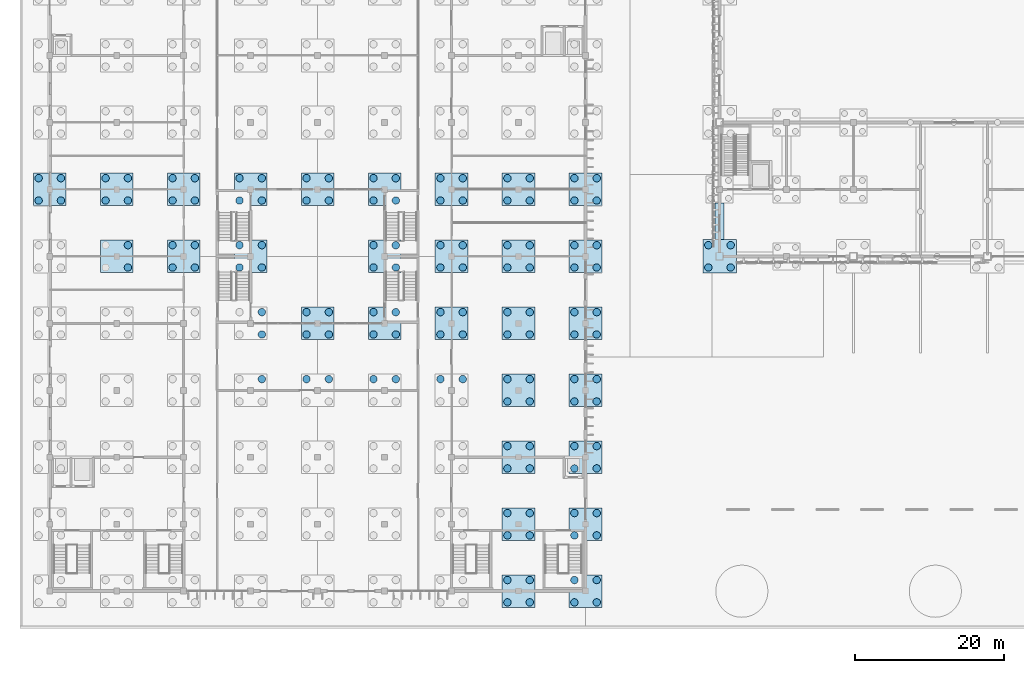
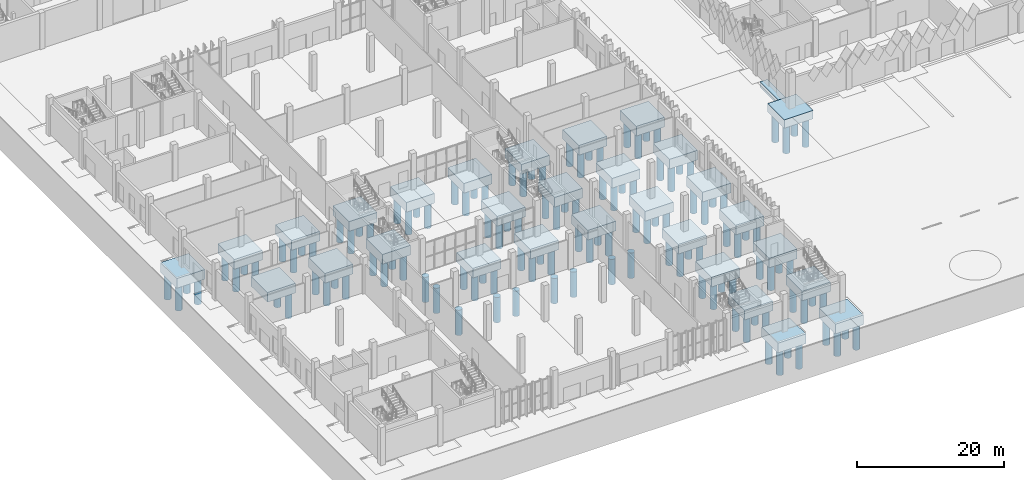
# One storey, part 2 of 198: 127 piles, 31 footings.
"""IFC4 building model written with IfcOpenShell, lengths in metres."""

from ifc_helpers import new_model, si_unit, direction, frame, origin, origin_2d, place, context, subcontext, project, spatial, polyline, circle, outline, extrude, material, layer, layer_set, material_profile, profile_set, type_object, element, save


model = new_model("IFC4")

# Units and contexts
model_context = context("Model", 3, precision=1e-05, world=origin(), true_north=direction((0.0, 1.0)))
body_context = subcontext(model_context, "Body", "Model", "MODEL_VIEW")
ifc_project = project(units=[si_unit("LENGTHUNIT", "METRE"), si_unit("AREAUNIT", "SQUARE_METRE"), si_unit("VOLUMEUNIT", "CUBIC_METRE"), si_unit("PLANEANGLEUNIT", "RADIAN"), si_unit("MASSUNIT", "GRAM", prefix="KILO")], contexts=[model_context])

# Site, building, storey
site_placement = place(None, origin())
site = spatial("IfcSite", under=ifc_project, at=site_placement, CompositionType="ELEMENT")
building_placement = place(site_placement, origin())
building = spatial("IfcBuilding", under=site, at=building_placement, Name="Opaline Strait Convention Centre", CompositionType="ELEMENT")
storey_placement = place(building_placement, origin())
storey = spatial("IfcBuildingStorey", under=building, at=storey_placement, Name="L00", CompositionType="ELEMENT", Elevation=0.0)

# Piles
ifc_material_1 = material(Name="Concrete C35", Category="concrete")
ifc_material_profile_1 = material_profile(ifc_material_1, circle(Radius=0.5, at=origin_2d()), Name="D1000")
ifc_profile_set_1 = profile_set([ifc_material_profile_1], Name="Concrete C35")
pile_type_1 = type_object("IfcPileType", Name="Bored pile D1000 C35", PredefinedType="BORED", material=ifc_profile_set_1)
for number, where, z_axis, x_axis, name in (
    (1, (97.5, 52.5, -1.300048828125), (0.0, 0.0, -1.0), (1.0, 0.0, 0.0), "Bored pile of cap 99/54"),
    (2, (97.5, 55.5, -1.300048828125), (0.0, 0.0, -1.0), (1.0, 0.0, 0.0), "Bored pile of cap 99/54"),
    (3, (100.5, 52.5, -1.300048828125), (0.0, 0.0, -1.0), (1.0, 0.0, 0.0), "Bored pile of cap 99/54"),
    (4, (100.5, 55.5, -1.300048828125), (0.0, 0.0, -1.0), (1.0, 0.0, 0.0), "Bored pile of cap 99/54"),
):
    element("IfcPile", number, at=place(storey_placement, frame(where, z_axis=z_axis, x_axis=x_axis)), inside=storey, type_object=pile_type_1, Name=name, PredefinedType="BORED", context=body_context, shape_type="SweptSolid", body=[
        extrude(circle(Radius=0.5, at=origin_2d()), origin(), (0.0, 0.0, 1.0), 4.699951171875),
    ])
ifc_material_profile_2 = material_profile(ifc_material_1, circle(Radius=0.5, at=origin_2d()), Name="D1000")
ifc_profile_set_2 = profile_set([ifc_material_profile_2], Name="Concrete C35")
pile_type_2 = type_object("IfcPileType", Name="Bored pile D1000 L4.2 C35", PredefinedType="BORED", material=ifc_profile_set_2)
for number, where, z_axis, x_axis, name in (
    (5, (7.5, 61.5, -1.800048828125), (0.0, 0.0, -1.0), (1.0, 0.0, 0.0), "RPL1 pile 1 of cap at 9/63"),
    (6, (7.5, 64.5, -1.800048828125), (0.0, 0.0, -1.0), (1.0, 0.0, 0.0), "RPL1 pile 2 of cap at 9/63"),
    (7, (10.5, 61.5, -1.800048828125), (0.0, 0.0, -1.0), (1.0, 0.0, 0.0), "RPL1 pile 3 of cap at 9/63"),
    (8, (10.5, 64.5, -1.800048828125), (0.0, 0.0, -1.0), (1.0, 0.0, 0.0), "RPL1 pile 4 of cap at 9/63"),
    (9, (19.5, 52.5, -1.800048828125), (0.0, 0.0, -1.0), (1.0, 0.0, 0.0), "RPL1 pile 3 of cap at 18/54"),
    (10, (19.5, 55.5, -1.800048828125), (0.0, 0.0, -1.0), (1.0, 0.0, 0.0), "RPL1 pile 4 of cap at 18/54"),
    (11, (16.5, 61.5, -1.800048828125), (0.0, 0.0, -1.0), (1.0, 0.0, 0.0), "RPL1 pile 1 of cap at 18/63"),
    (12, (16.5, 64.5, -1.800048828125), (0.0, 0.0, -1.0), (1.0, 0.0, 0.0), "RPL1 pile 2 of cap at 18/63"),
    (13, (19.5, 61.5, -1.800048828125), (0.0, 0.0, -1.0), (1.0, 0.0, 0.0), "RPL1 pile 3 of cap at 18/63"),
    (14, (19.5, 64.5, -1.800048828125), (0.0, 0.0, -1.0), (1.0, 0.0, 0.0), "RPL1 pile 4 of cap at 18/63"),
    (15, (25.5, 52.5, -1.800048828125), (0.0, 0.0, -1.0), (1.0, 0.0, 0.0), "RPL1 pile 1 of cap at 27/54"),
    (16, (25.5, 55.5, -1.800048828125), (0.0, 0.0, -1.0), (1.0, 0.0, 0.0), "RPL1 pile 2 of cap at 27/54"),
    (17, (28.5, 52.5, -1.800048828125), (0.0, 0.0, -1.0), (1.0, 0.0, 0.0), "RPL1 pile 3 of cap at 27/54"),
    (18, (28.5, 55.5, -1.800048828125), (0.0, 0.0, -1.0), (1.0, 0.0, 0.0), "RPL1 pile 4 of cap at 27/54"),
    (19, (25.5, 61.5, -1.800048828125), (0.0, 0.0, -1.0), (1.0, 0.0, 0.0), "RPL1 pile 1 of cap at 27/63"),
    (20, (25.5, 64.5, -1.800048828125), (0.0, 0.0, -1.0), (1.0, 0.0, 0.0), "RPL1 pile 2 of cap at 27/63"),
    (21, (28.5, 61.5, -1.800048828125), (0.0, 0.0, -1.0), (1.0, 0.0, 0.0), "RPL1 pile 3 of cap at 27/63"),
    (22, (28.5, 64.5, -1.800048828125), (0.0, 0.0, -1.0), (1.0, 0.0, 0.0), "RPL1 pile 4 of cap at 27/63"),
    (23, (37.5, 37.5, -1.800048828125), (0.0, 0.0, -1.0), (1.0, 0.0, 0.0), "RPL1 pile 4 of cap at 36/36"),
    (24, (37.5, 43.5, -1.800048828125), (0.0, 0.0, -1.0), (1.0, 0.0, 0.0), "RPL1 pile 3 of cap at 36/45"),
    (25, (37.5, 46.5, -1.800048828125), (0.0, 0.0, -1.0), (1.0, 0.0, 0.0), "RPL1 pile 4 of cap at 36/45"),
    (26, (34.5, 52.5, -1.800048828125), (0.0, 0.0, -1.0), (1.0, 0.0, 0.0), "RPL1 pile 1 of cap at 36/54"),
    (27, (34.5, 55.5, -1.800048828125), (0.0, 0.0, -1.0), (1.0, 0.0, 0.0), "RPL1 pile 2 of cap at 36/54"),
    (28, (37.5, 52.5, -1.800048828125), (0.0, 0.0, -1.0), (1.0, 0.0, 0.0), "RPL1 pile 3 of cap at 36/54"),
    (29, (37.5, 55.5, -1.800048828125), (0.0, 0.0, -1.0), (1.0, 0.0, 0.0), "RPL1 pile 4 of cap at 36/54"),
    (30, (34.5, 61.5, -1.800048828125), (0.0, 0.0, -1.0), (1.0, 0.0, 0.0), "RPL1 pile 1 of cap at 36/63"),
    (31, (34.5, 64.5, -1.800048828125), (0.0, 0.0, -1.0), (1.0, 0.0, 0.0), "RPL1 pile 2 of cap at 36/63"),
    (32, (37.5, 61.5, -1.800048828125), (0.0, 0.0, -1.0), (1.0, 0.0, 0.0), "RPL1 pile 3 of cap at 36/63"),
    (33, (37.5, 64.5, -1.800048828125), (0.0, 0.0, -1.0), (1.0, 0.0, 0.0), "RPL1 pile 4 of cap at 36/63"),
    (34, (43.5, 37.5, -1.800048828125), (0.0, 0.0, -1.0), (1.0, 0.0, 0.0), "RPL1 pile 2 of cap at 45/36"),
    (35, (46.5, 37.5, -1.800048828125), (0.0, 0.0, -1.0), (1.0, 0.0, 0.0), "RPL1 pile 4 of cap at 45/36"),
    (36, (43.5, 43.5, -1.800048828125), (0.0, 0.0, -1.0), (1.0, 0.0, 0.0), "RPL1 pile 1 of cap at 45/45"),
    (37, (43.5, 46.5, -1.800048828125), (0.0, 0.0, -1.0), (1.0, 0.0, 0.0), "RPL1 pile 2 of cap at 45/45"),
    (38, (46.5, 43.5, -1.800048828125), (0.0, 0.0, -1.0), (1.0, 0.0, 0.0), "RPL1 pile 3 of cap at 45/45"),
    (39, (46.5, 46.5, -1.800048828125), (0.0, 0.0, -1.0), (1.0, 0.0, 0.0), "RPL1 pile 4 of cap at 45/45"),
    (40, (43.5, 61.5, -1.800048828125), (0.0, 0.0, -1.0), (1.0, 0.0, 0.0), "RPL1 pile 1 of cap at 45/63"),
    (41, (43.5, 64.5, -1.800048828125), (0.0, 0.0, -1.0), (1.0, 0.0, 0.0), "RPL1 pile 2 of cap at 45/63"),
    (42, (46.5, 61.5, -1.800048828125), (0.0, 0.0, -1.0), (1.0, 0.0, 0.0), "RPL1 pile 3 of cap at 45/63"),
    (43, (46.5, 64.5, -1.800048828125), (0.0, 0.0, -1.0), (1.0, 0.0, 0.0), "RPL1 pile 4 of cap at 45/63"),
    (44, (52.5, 37.5, -1.800048828125), (0.0, 0.0, -1.0), (1.0, 0.0, 0.0), "RPL1 pile 2 of cap at 54/36"),
    (45, (55.5, 37.5, -1.800048828125), (0.0, 0.0, -1.0), (1.0, 0.0, 0.0), "RPL1 pile 4 of cap at 54/36"),
    (46, (52.5, 43.5, -1.800048828125), (0.0, 0.0, -1.0), (1.0, 0.0, 0.0), "RPL1 pile 1 of cap at 54/45"),
    (47, (52.5, 46.5, -1.800048828125), (0.0, 0.0, -1.0), (1.0, 0.0, 0.0), "RPL1 pile 2 of cap at 54/45"),
    (48, (55.5, 43.5, -1.800048828125), (0.0, 0.0, -1.0), (1.0, 0.0, 0.0), "RPL1 pile 3 of cap at 54/45"),
    (49, (55.5, 46.5, -1.800048828125), (0.0, 0.0, -1.0), (1.0, 0.0, 0.0), "RPL1 pile 4 of cap at 54/45"),
    (50, (52.5, 52.5, -1.800048828125), (0.0, 0.0, -1.0), (1.0, 0.0, 0.0), "RPL1 pile 1 of cap at 54/54"),
    (51, (52.5, 55.5, -1.800048828125), (0.0, 0.0, -1.0), (1.0, 0.0, 0.0), "RPL1 pile 2 of cap at 54/54"),
    (52, (55.5, 52.5, -1.800048828125), (0.0, 0.0, -1.0), (1.0, 0.0, 0.0), "RPL1 pile 3 of cap at 54/54"),
    (53, (55.5, 55.5, -1.800048828125), (0.0, 0.0, -1.0), (1.0, 0.0, 0.0), "RPL1 pile 4 of cap at 54/54"),
    (54, (52.5, 61.5, -1.800048828125), (0.0, 0.0, -1.0), (1.0, 0.0, 0.0), "RPL1 pile 1 of cap at 54/63"),
    (55, (52.5, 64.5, -1.800048828125), (0.0, 0.0, -1.0), (1.0, 0.0, 0.0), "RPL1 pile 2 of cap at 54/63"),
    (56, (55.5, 61.5, -1.800048828125), (0.0, 0.0, -1.0), (1.0, 0.0, 0.0), "RPL1 pile 3 of cap at 54/63"),
    (57, (55.5, 64.5, -1.800048828125), (0.0, 0.0, -1.0), (1.0, 0.0, 0.0), "RPL1 pile 4 of cap at 54/63"),
    (58, (61.5, 37.5, -1.800048828125), (0.0, 0.0, -1.0), (1.0, 0.0, 0.0), "RPL1 pile 2 of cap at 63/36"),
    (59, (64.5, 37.5, -1.800048828125), (0.0, 0.0, -1.0), (1.0, 0.0, 0.0), "RPL1 pile 4 of cap at 63/36"),
    (60, (61.5, 43.5, -1.800048828125), (0.0, 0.0, -1.0), (1.0, 0.0, 0.0), "RPL1 pile 1 of cap at 63/45"),
    (61, (61.5, 46.5, -1.800048828125), (0.0, 0.0, -1.0), (1.0, 0.0, 0.0), "RPL1 pile 2 of cap at 63/45"),
    (62, (64.5, 43.5, -1.800048828125), (0.0, 0.0, -1.0), (1.0, 0.0, 0.0), "RPL1 pile 3 of cap at 63/45"),
    (63, (64.5, 46.5, -1.800048828125), (0.0, 0.0, -1.0), (1.0, 0.0, 0.0), "RPL1 pile 4 of cap at 63/45"),
    (64, (61.5, 52.5, -1.800048828125), (0.0, 0.0, -1.0), (1.0, 0.0, 0.0), "RPL1 pile 1 of cap at 63/54"),
    (65, (61.5, 55.5, -1.800048828125), (0.0, 0.0, -1.0), (1.0, 0.0, 0.0), "RPL1 pile 2 of cap at 63/54"),
    (66, (64.5, 52.5, -1.800048828125), (0.0, 0.0, -1.0), (1.0, 0.0, 0.0), "RPL1 pile 3 of cap at 63/54"),
    (67, (64.5, 55.5, -1.800048828125), (0.0, 0.0, -1.0), (1.0, 0.0, 0.0), "RPL1 pile 4 of cap at 63/54"),
    (68, (61.5, 61.5, -1.800048828125), (0.0, 0.0, -1.0), (1.0, 0.0, 0.0), "RPL1 pile 1 of cap at 63/63"),
    (69, (61.5, 64.5, -1.800048828125), (0.0, 0.0, -1.0), (1.0, 0.0, 0.0), "RPL1 pile 2 of cap at 63/63"),
    (70, (64.5, 61.5, -1.800048828125), (0.0, 0.0, -1.0), (1.0, 0.0, 0.0), "RPL1 pile 3 of cap at 63/63"),
    (71, (64.5, 64.5, -1.800048828125), (0.0, 0.0, -1.0), (1.0, 0.0, 0.0), "RPL1 pile 4 of cap at 63/63"),
    (72, (70.5, 7.5, -1.800048828125), (0.0, 0.0, -1.0), (1.0, 0.0, 0.0), "RPL1 pile 1 of cap at 72/9"),
    (73, (70.5, 10.5, -1.800048828125), (0.0, 0.0, -1.0), (1.0, 0.0, 0.0), "RPL1 pile 2 of cap at 72/9"),
    (74, (73.5, 7.5, -1.800048828125), (0.0, 0.0, -1.0), (1.0, 0.0, 0.0), "RPL1 pile 3 of cap at 72/9"),
    (75, (73.5, 10.5, -1.800048828125), (0.0, 0.0, -1.0), (1.0, 0.0, 0.0), "RPL1 pile 4 of cap at 72/9"),
    (76, (70.5, 16.5, -1.800048828125), (0.0, 0.0, -1.0), (1.0, 0.0, 0.0), "RPL1 pile 1 of cap at 72/18"),
    (77, (70.5, 19.5, -1.800048828125), (0.0, 0.0, -1.0), (1.0, 0.0, 0.0), "RPL1 pile 2 of cap at 72/18"),
    (78, (73.5, 16.5, -1.800048828125), (0.0, 0.0, -1.0), (1.0, 0.0, 0.0), "RPL1 pile 3 of cap at 72/18"),
    (79, (73.5, 19.5, -1.800048828125), (0.0, 0.0, -1.0), (1.0, 0.0, 0.0), "RPL1 pile 4 of cap at 72/18"),
    (80, (70.5, 25.5, -1.800048828125), (0.0, 0.0, -1.0), (1.0, 0.0, 0.0), "RPL1 pile 1 of cap at 72/27"),
    (81, (70.5, 28.5, -1.800048828125), (0.0, 0.0, -1.0), (1.0, 0.0, 0.0), "RPL1 pile 2 of cap at 72/27"),
    (82, (73.5, 25.5, -1.800048828125), (0.0, 0.0, -1.0), (1.0, 0.0, 0.0), "RPL1 pile 3 of cap at 72/27"),
    (83, (73.5, 28.5, -1.800048828125), (0.0, 0.0, -1.0), (1.0, 0.0, 0.0), "RPL1 pile 4 of cap at 72/27"),
    (84, (70.5, 34.5, -1.800048828125), (0.0, 0.0, -1.0), (1.0, 0.0, 0.0), "RPL1 pile 1 of cap at 72/36"),
    (85, (70.5, 37.5, -1.800048828125), (0.0, 0.0, -1.0), (1.0, 0.0, 0.0), "RPL1 pile 2 of cap at 72/36"),
    (86, (73.5, 34.5, -1.800048828125), (0.0, 0.0, -1.0), (1.0, 0.0, 0.0), "RPL1 pile 3 of cap at 72/36"),
    (87, (73.5, 37.5, -1.800048828125), (0.0, 0.0, -1.0), (1.0, 0.0, 0.0), "RPL1 pile 4 of cap at 72/36"),
    (88, (70.5, 43.5, -1.800048828125), (0.0, 0.0, -1.0), (1.0, 0.0, 0.0), "RPL1 pile 1 of cap at 72/45"),
    (89, (70.5, 46.5, -1.800048828125), (0.0, 0.0, -1.0), (1.0, 0.0, 0.0), "RPL1 pile 2 of cap at 72/45"),
    (90, (73.5, 43.5, -1.800048828125), (0.0, 0.0, -1.0), (1.0, 0.0, 0.0), "RPL1 pile 3 of cap at 72/45"),
    (91, (73.5, 46.5, -1.800048828125), (0.0, 0.0, -1.0), (1.0, 0.0, 0.0), "RPL1 pile 4 of cap at 72/45"),
    (92, (70.5, 52.5, -1.800048828125), (0.0, 0.0, -1.0), (1.0, 0.0, 0.0), "RPL1 pile 1 of cap at 72/54"),
    (93, (70.5, 55.5, -1.800048828125), (0.0, 0.0, -1.0), (1.0, 0.0, 0.0), "RPL1 pile 2 of cap at 72/54"),
    (94, (73.5, 52.5, -1.800048828125), (0.0, 0.0, -1.0), (1.0, 0.0, 0.0), "RPL1 pile 3 of cap at 72/54"),
    (95, (73.5, 55.5, -1.800048828125), (0.0, 0.0, -1.0), (1.0, 0.0, 0.0), "RPL1 pile 4 of cap at 72/54"),
    (96, (70.5, 61.5, -1.800048828125), (0.0, 0.0, -1.0), (1.0, 0.0, 0.0), "RPL1 pile 1 of cap at 72/63"),
    (97, (70.5, 64.5, -1.800048828125), (0.0, 0.0, -1.0), (1.0, 0.0, 0.0), "RPL1 pile 2 of cap at 72/63"),
    (98, (73.5, 61.5, -1.800048828125), (0.0, 0.0, -1.0), (1.0, 0.0, 0.0), "RPL1 pile 3 of cap at 72/63"),
    (99, (73.5, 64.5, -1.800048828125), (0.0, 0.0, -1.0), (1.0, 0.0, 0.0), "RPL1 pile 4 of cap at 72/63"),
    (100, (79.5, 7.5, -1.800048828125), (0.0, 0.0, -1.0), (1.0, 0.0, 0.0), "RPL1 pile 1 of cap at 81/9"),
    (101, (79.5, 10.5, -1.800048828125), (0.0, 0.0, -1.0), (1.0, 0.0, 0.0), "RPL1 pile 2 of cap at 81/9"),
    (102, (82.5, 7.5, -1.800048828125), (0.0, 0.0, -1.0), (1.0, 0.0, 0.0), "RPL1 pile 3 of cap at 81/9"),
    (103, (82.5, 10.5, -1.800048828125), (0.0, 0.0, -1.0), (1.0, 0.0, 0.0), "RPL1 pile 4 of cap at 81/9"),
    (104, (79.5, 16.5, -1.800048828125), (0.0, 0.0, -1.0), (1.0, 0.0, 0.0), "RPL1 pile 1 of cap at 81/18"),
    (105, (79.5, 19.5, -1.800048828125), (0.0, 0.0, -1.0), (1.0, 0.0, 0.0), "RPL1 pile 2 of cap at 81/18"),
    (106, (82.5, 16.5, -1.800048828125), (0.0, 0.0, -1.0), (1.0, 0.0, 0.0), "RPL1 pile 3 of cap at 81/18"),
    (107, (82.5, 19.5, -1.800048828125), (0.0, 0.0, -1.0), (1.0, 0.0, 0.0), "RPL1 pile 4 of cap at 81/18"),
    (108, (79.5, 25.5, -1.800048828125), (0.0, 0.0, -1.0), (1.0, 0.0, 0.0), "RPL1 pile 1 of cap at 81/27"),
    (109, (79.5, 28.5, -1.800048828125), (0.0, 0.0, -1.0), (1.0, 0.0, 0.0), "RPL1 pile 2 of cap at 81/27"),
    (110, (82.5, 25.5, -1.800048828125), (0.0, 0.0, -1.0), (1.0, 0.0, 0.0), "RPL1 pile 3 of cap at 81/27"),
    (111, (82.5, 28.5, -1.800048828125), (0.0, 0.0, -1.0), (1.0, 0.0, 0.0), "RPL1 pile 4 of cap at 81/27"),
    (112, (79.5, 34.5, -1.800048828125), (0.0, 0.0, -1.0), (1.0, 0.0, 0.0), "RPL1 pile 1 of cap at 81/36"),
    (113, (79.5, 37.5, -1.800048828125), (0.0, 0.0, -1.0), (1.0, 0.0, 0.0), "RPL1 pile 2 of cap at 81/36"),
    (114, (82.5, 34.5, -1.800048828125), (0.0, 0.0, -1.0), (1.0, 0.0, 0.0), "RPL1 pile 3 of cap at 81/36"),
    (115, (82.5, 37.5, -1.800048828125), (0.0, 0.0, -1.0), (1.0, 0.0, 0.0), "RPL1 pile 4 of cap at 81/36"),
    (116, (79.5, 43.5, -1.800048828125), (0.0, 0.0, -1.0), (1.0, 0.0, 0.0), "RPL1 pile 1 of cap at 81/45"),
    (117, (79.5, 46.5, -1.800048828125), (0.0, 0.0, -1.0), (1.0, 0.0, 0.0), "RPL1 pile 2 of cap at 81/45"),
    (118, (82.5, 43.5, -1.800048828125), (0.0, 0.0, -1.0), (1.0, 0.0, 0.0), "RPL1 pile 3 of cap at 81/45"),
    (119, (82.5, 46.5, -1.800048828125), (0.0, 0.0, -1.0), (1.0, 0.0, 0.0), "RPL1 pile 4 of cap at 81/45"),
    (120, (79.5, 52.5, -1.800048828125), (0.0, 0.0, -1.0), (1.0, 0.0, 0.0), "RPL1 pile 1 of cap at 81/54"),
    (121, (79.5, 55.5, -1.800048828125), (0.0, 0.0, -1.0), (1.0, 0.0, 0.0), "RPL1 pile 2 of cap at 81/54"),
    (122, (82.5, 52.5, -1.800048828125), (0.0, 0.0, -1.0), (1.0, 0.0, 0.0), "RPL1 pile 3 of cap at 81/54"),
    (123, (82.5, 55.5, -1.800048828125), (0.0, 0.0, -1.0), (1.0, 0.0, 0.0), "RPL1 pile 4 of cap at 81/54"),
    (124, (79.5, 61.5, -1.800048828125), (0.0, 0.0, -1.0), (1.0, 0.0, 0.0), "RPL1 pile 1 of cap at 81/63"),
    (125, (79.5, 64.5, -1.800048828125), (0.0, 0.0, -1.0), (1.0, 0.0, 0.0), "RPL1 pile 2 of cap at 81/63"),
    (126, (82.5, 61.5, -1.800048828125), (0.0, 0.0, -1.0), (1.0, 0.0, 0.0), "RPL1 pile 3 of cap at 81/63"),
    (127, (82.5, 64.5, -1.800048828125), (0.0, 0.0, -1.0), (1.0, 0.0, 0.0), "RPL1 pile 4 of cap at 81/63"),
):
    element("IfcPile", number, at=place(storey_placement, frame(where, z_axis=z_axis, x_axis=x_axis)), inside=storey, type_object=pile_type_2, Name=name, PredefinedType="BORED", context=body_context, shape_type="SweptSolid", body=[
        extrude(circle(Radius=0.5, at=origin_2d()), origin(), (0.0, 0.0, 1.0), 4.199951171875),
    ])

# Footings
footing_type_1 = type_object("IfcFootingType", Name="Ground beam 1200 x 900 C35", PredefinedType="FOOTING_BEAM", material=ifc_material_1)
footing_1_placement = place(storey_placement, frame((0.0, 0.0, -0.89990234375)))
element("IfcFooting", 128, at=footing_1_placement, inside=storey, type_object=footing_type_1, Name="Ground beam 25 on the x = 99 line", PredefinedType="FOOTING_BEAM", context=body_context, shape_type="SweptSolid", body=[
    extrude(outline(polyline([(98.39990234375, 56.25), (99.60009765625, 56.25), (99.60009765625, 61.199951171875), (98.39990234375, 61.199951171875), (98.39990234375, 56.25)])), origin(), (0.0, 0.0, 1.0), 0.89990234375),
])
ifc_layer_1 = layer(ifc_material_1, 1.60009765625)
ifc_layer_set_1 = layer_set([ifc_layer_1], Name="Concrete C35")
footing_type_2 = type_object("IfcFootingType", Name="Pile cap 4400 x 4400 x 1600 C35", PredefinedType="PILE_CAP", material=ifc_layer_set_1)
footing_2_placement = place(storey_placement, frame((0.0, 0.0, -1.89990234375)))
element("IfcFooting", 129, at=footing_2_placement, inside=storey, type_object=footing_type_2, Name="RPC1 pile cap at 9/63", PredefinedType="PILE_CAP", context=body_context, shape_type="SweptSolid", body=[
    extrude(outline(polyline([(6.800048828125, 60.800048828125), (11.199951171875, 60.800048828125), (11.199951171875, 65.199951171875), (6.800048828125, 65.199951171875), (6.800048828125, 60.800048828125)])), origin(), (0.0, 0.0, 1.0), 1.599853515625),
])
footing_3_placement = place(storey_placement, frame((0.0, 0.0, -1.89990234375)))
element("IfcFooting", 130, at=footing_3_placement, inside=storey, type_object=footing_type_2, Name="RPC1 pile cap at 18/54", PredefinedType="PILE_CAP", context=body_context, shape_type="SweptSolid", body=[
    extrude(outline(polyline([(15.800048828125, 51.800048828125), (20.199951171875, 51.800048828125), (20.199951171875, 56.199951171875), (15.800048828125, 56.199951171875), (15.800048828125, 51.800048828125)])), origin(), (0.0, 0.0, 1.0), 1.599853515625),
])
footing_4_placement = place(storey_placement, frame((0.0, 0.0, -1.89990234375)))
element("IfcFooting", 131, at=footing_4_placement, inside=storey, type_object=footing_type_2, Name="RPC1 pile cap at 18/63", PredefinedType="PILE_CAP", context=body_context, shape_type="SweptSolid", body=[
    extrude(outline(polyline([(15.800048828125, 60.800048828125), (20.199951171875, 60.800048828125), (20.199951171875, 65.199951171875), (15.800048828125, 65.199951171875), (15.800048828125, 60.800048828125)])), origin(), (0.0, 0.0, 1.0), 1.599853515625),
])
footing_5_placement = place(storey_placement, frame((0.0, 0.0, -1.89990234375)))
element("IfcFooting", 132, at=footing_5_placement, inside=storey, type_object=footing_type_2, Name="RPC1 pile cap at 27/54", PredefinedType="PILE_CAP", context=body_context, shape_type="SweptSolid", body=[
    extrude(outline(polyline([(24.800048828125, 51.800048828125), (29.199951171875, 51.800048828125), (29.199951171875, 56.199951171875), (24.800048828125, 56.199951171875), (24.800048828125, 51.800048828125)])), origin(), (0.0, 0.0, 1.0), 1.599853515625),
])
footing_6_placement = place(storey_placement, frame((0.0, 0.0, -1.89990234375)))
element("IfcFooting", 133, at=footing_6_placement, inside=storey, type_object=footing_type_2, Name="RPC1 pile cap at 27/63", PredefinedType="PILE_CAP", context=body_context, shape_type="SweptSolid", body=[
    extrude(outline(polyline([(24.800048828125, 60.800048828125), (29.199951171875, 60.800048828125), (29.199951171875, 65.199951171875), (24.800048828125, 65.199951171875), (24.800048828125, 60.800048828125)])), origin(), (0.0, 0.0, 1.0), 1.599853515625),
])
footing_7_placement = place(storey_placement, frame((0.0, 0.0, -1.89990234375)))
element("IfcFooting", 134, at=footing_7_placement, inside=storey, type_object=footing_type_2, Name="RPC1 pile cap at 36/54", PredefinedType="PILE_CAP", context=body_context, shape_type="SweptSolid", body=[
    extrude(outline(polyline([(33.800048828125, 51.800048828125), (38.199951171875, 51.800048828125), (38.199951171875, 56.199951171875), (33.800048828125, 56.199951171875), (33.800048828125, 51.800048828125)])), origin(), (0.0, 0.0, 1.0), 1.599853515625),
])
footing_8_placement = place(storey_placement, frame((0.0, 0.0, -1.89990234375)))
element("IfcFooting", 135, at=footing_8_placement, inside=storey, type_object=footing_type_2, Name="RPC1 pile cap at 36/63", PredefinedType="PILE_CAP", context=body_context, shape_type="SweptSolid", body=[
    extrude(outline(polyline([(33.800048828125, 60.800048828125), (38.199951171875, 60.800048828125), (38.199951171875, 65.199951171875), (33.800048828125, 65.199951171875), (33.800048828125, 60.800048828125)])), origin(), (0.0, 0.0, 1.0), 1.599853515625),
])
footing_9_placement = place(storey_placement, frame((0.0, 0.0, -1.89990234375)))
element("IfcFooting", 136, at=footing_9_placement, inside=storey, type_object=footing_type_2, Name="RPC1 pile cap at 45/45", PredefinedType="PILE_CAP", context=body_context, shape_type="SweptSolid", body=[
    extrude(outline(polyline([(42.800048828125, 42.800048828125), (47.199951171875, 42.800048828125), (47.199951171875, 47.199951171875), (42.800048828125, 47.199951171875), (42.800048828125, 42.800048828125)])), origin(), (0.0, 0.0, 1.0), 1.599853515625),
])
footing_10_placement = place(storey_placement, frame((0.0, 0.0, -1.89990234375)))
element("IfcFooting", 137, at=footing_10_placement, inside=storey, type_object=footing_type_2, Name="RPC1 pile cap at 45/63", PredefinedType="PILE_CAP", context=body_context, shape_type="SweptSolid", body=[
    extrude(outline(polyline([(42.800048828125, 60.800048828125), (47.199951171875, 60.800048828125), (47.199951171875, 65.199951171875), (42.800048828125, 65.199951171875), (42.800048828125, 60.800048828125)])), origin(), (0.0, 0.0, 1.0), 1.599853515625),
])
footing_11_placement = place(storey_placement, frame((0.0, 0.0, -1.89990234375)))
element("IfcFooting", 138, at=footing_11_placement, inside=storey, type_object=footing_type_2, Name="RPC1 pile cap at 54/45", PredefinedType="PILE_CAP", context=body_context, shape_type="SweptSolid", body=[
    extrude(outline(polyline([(51.800048828125, 42.800048828125), (56.199951171875, 42.800048828125), (56.199951171875, 47.199951171875), (51.800048828125, 47.199951171875), (51.800048828125, 42.800048828125)])), origin(), (0.0, 0.0, 1.0), 1.599853515625),
])
footing_12_placement = place(storey_placement, frame((0.0, 0.0, -1.89990234375)))
element("IfcFooting", 139, at=footing_12_placement, inside=storey, type_object=footing_type_2, Name="RPC1 pile cap at 54/54", PredefinedType="PILE_CAP", context=body_context, shape_type="SweptSolid", body=[
    extrude(outline(polyline([(51.800048828125, 51.800048828125), (56.199951171875, 51.800048828125), (56.199951171875, 56.199951171875), (51.800048828125, 56.199951171875), (51.800048828125, 51.800048828125)])), origin(), (0.0, 0.0, 1.0), 1.599853515625),
])
footing_13_placement = place(storey_placement, frame((0.0, 0.0, -1.89990234375)))
element("IfcFooting", 140, at=footing_13_placement, inside=storey, type_object=footing_type_2, Name="RPC1 pile cap at 54/63", PredefinedType="PILE_CAP", context=body_context, shape_type="SweptSolid", body=[
    extrude(outline(polyline([(51.800048828125, 60.800048828125), (56.199951171875, 60.800048828125), (56.199951171875, 65.199951171875), (51.800048828125, 65.199951171875), (51.800048828125, 60.800048828125)])), origin(), (0.0, 0.0, 1.0), 1.599853515625),
])
footing_14_placement = place(storey_placement, frame((0.0, 0.0, -1.89990234375)))
element("IfcFooting", 141, at=footing_14_placement, inside=storey, type_object=footing_type_2, Name="RPC1 pile cap at 63/45", PredefinedType="PILE_CAP", context=body_context, shape_type="SweptSolid", body=[
    extrude(outline(polyline([(60.800048828125, 42.800048828125), (65.199951171875, 42.800048828125), (65.199951171875, 47.199951171875), (60.800048828125, 47.199951171875), (60.800048828125, 42.800048828125)])), origin(), (0.0, 0.0, 1.0), 1.599853515625),
])
footing_15_placement = place(storey_placement, frame((0.0, 0.0, -1.89990234375)))
element("IfcFooting", 142, at=footing_15_placement, inside=storey, type_object=footing_type_2, Name="RPC1 pile cap at 63/54", PredefinedType="PILE_CAP", context=body_context, shape_type="SweptSolid", body=[
    extrude(outline(polyline([(60.800048828125, 51.800048828125), (65.199951171875, 51.800048828125), (65.199951171875, 56.199951171875), (60.800048828125, 56.199951171875), (60.800048828125, 51.800048828125)])), origin(), (0.0, 0.0, 1.0), 1.599853515625),
])
footing_16_placement = place(storey_placement, frame((0.0, 0.0, -1.89990234375)))
element("IfcFooting", 143, at=footing_16_placement, inside=storey, type_object=footing_type_2, Name="RPC1 pile cap at 63/63", PredefinedType="PILE_CAP", context=body_context, shape_type="SweptSolid", body=[
    extrude(outline(polyline([(60.800048828125, 60.800048828125), (65.199951171875, 60.800048828125), (65.199951171875, 65.199951171875), (60.800048828125, 65.199951171875), (60.800048828125, 60.800048828125)])), origin(), (0.0, 0.0, 1.0), 1.599853515625),
])
footing_17_placement = place(storey_placement, frame((0.0, 0.0, -1.89990234375)))
element("IfcFooting", 144, at=footing_17_placement, inside=storey, type_object=footing_type_2, Name="RPC1 pile cap at 72/9", PredefinedType="PILE_CAP", context=body_context, shape_type="SweptSolid", body=[
    extrude(outline(polyline([(69.800048828125, 6.800048828125), (74.199951171875, 6.800048828125), (74.199951171875, 11.199951171875), (69.800048828125, 11.199951171875), (69.800048828125, 6.800048828125)])), origin(), (0.0, 0.0, 1.0), 1.599853515625),
])
footing_18_placement = place(storey_placement, frame((0.0, 0.0, -1.89990234375)))
element("IfcFooting", 145, at=footing_18_placement, inside=storey, type_object=footing_type_2, Name="RPC1 pile cap at 72/18", PredefinedType="PILE_CAP", context=body_context, shape_type="SweptSolid", body=[
    extrude(outline(polyline([(69.800048828125, 15.800048828125), (74.199951171875, 15.800048828125), (74.199951171875, 20.199951171875), (69.800048828125, 20.199951171875), (69.800048828125, 15.800048828125)])), origin(), (0.0, 0.0, 1.0), 1.599853515625),
])
footing_19_placement = place(storey_placement, frame((0.0, 0.0, -1.89990234375)))
element("IfcFooting", 146, at=footing_19_placement, inside=storey, type_object=footing_type_2, Name="RPC1 pile cap at 72/27", PredefinedType="PILE_CAP", context=body_context, shape_type="SweptSolid", body=[
    extrude(outline(polyline([(69.800048828125, 24.800048828125), (74.199951171875, 24.800048828125), (74.199951171875, 29.199951171875), (69.800048828125, 29.199951171875), (69.800048828125, 24.800048828125)])), origin(), (0.0, 0.0, 1.0), 1.599853515625),
])
footing_20_placement = place(storey_placement, frame((0.0, 0.0, -1.89990234375)))
element("IfcFooting", 147, at=footing_20_placement, inside=storey, type_object=footing_type_2, Name="RPC1 pile cap at 72/36", PredefinedType="PILE_CAP", context=body_context, shape_type="SweptSolid", body=[
    extrude(outline(polyline([(69.800048828125, 33.800048828125), (74.199951171875, 33.800048828125), (74.199951171875, 38.199951171875), (69.800048828125, 38.199951171875), (69.800048828125, 33.800048828125)])), origin(), (0.0, 0.0, 1.0), 1.599853515625),
])
footing_21_placement = place(storey_placement, frame((0.0, 0.0, -1.89990234375)))
element("IfcFooting", 148, at=footing_21_placement, inside=storey, type_object=footing_type_2, Name="RPC1 pile cap at 72/45", PredefinedType="PILE_CAP", context=body_context, shape_type="SweptSolid", body=[
    extrude(outline(polyline([(69.800048828125, 42.800048828125), (74.199951171875, 42.800048828125), (74.199951171875, 47.199951171875), (69.800048828125, 47.199951171875), (69.800048828125, 42.800048828125)])), origin(), (0.0, 0.0, 1.0), 1.599853515625),
])
footing_22_placement = place(storey_placement, frame((0.0, 0.0, -1.89990234375)))
element("IfcFooting", 149, at=footing_22_placement, inside=storey, type_object=footing_type_2, Name="RPC1 pile cap at 72/54", PredefinedType="PILE_CAP", context=body_context, shape_type="SweptSolid", body=[
    extrude(outline(polyline([(69.800048828125, 51.800048828125), (74.199951171875, 51.800048828125), (74.199951171875, 56.199951171875), (69.800048828125, 56.199951171875), (69.800048828125, 51.800048828125)])), origin(), (0.0, 0.0, 1.0), 1.599853515625),
])
footing_23_placement = place(storey_placement, frame((0.0, 0.0, -1.89990234375)))
element("IfcFooting", 150, at=footing_23_placement, inside=storey, type_object=footing_type_2, Name="RPC1 pile cap at 72/63", PredefinedType="PILE_CAP", context=body_context, shape_type="SweptSolid", body=[
    extrude(outline(polyline([(69.800048828125, 60.800048828125), (74.199951171875, 60.800048828125), (74.199951171875, 65.199951171875), (69.800048828125, 65.199951171875), (69.800048828125, 60.800048828125)])), origin(), (0.0, 0.0, 1.0), 1.599853515625),
])
footing_24_placement = place(storey_placement, frame((0.0, 0.0, -1.89990234375)))
element("IfcFooting", 151, at=footing_24_placement, inside=storey, type_object=footing_type_2, Name="RPC1 pile cap at 81/9", PredefinedType="PILE_CAP", context=body_context, shape_type="SweptSolid", body=[
    extrude(outline(polyline([(78.800048828125, 6.800048828125), (83.199951171875, 6.800048828125), (83.199951171875, 11.199951171875), (78.800048828125, 11.199951171875), (78.800048828125, 6.800048828125)])), origin(), (0.0, 0.0, 1.0), 1.599853515625),
])
footing_25_placement = place(storey_placement, frame((0.0, 0.0, -1.89990234375)))
element("IfcFooting", 152, at=footing_25_placement, inside=storey, type_object=footing_type_2, Name="RPC1 pile cap at 81/18", PredefinedType="PILE_CAP", context=body_context, shape_type="SweptSolid", body=[
    extrude(outline(polyline([(78.800048828125, 15.800048828125), (83.199951171875, 15.800048828125), (83.199951171875, 20.199951171875), (78.800048828125, 20.199951171875), (78.800048828125, 15.800048828125)])), origin(), (0.0, 0.0, 1.0), 1.599853515625),
])
footing_26_placement = place(storey_placement, frame((0.0, 0.0, -1.89990234375)))
element("IfcFooting", 153, at=footing_26_placement, inside=storey, type_object=footing_type_2, Name="RPC1 pile cap at 81/27", PredefinedType="PILE_CAP", context=body_context, shape_type="SweptSolid", body=[
    extrude(outline(polyline([(78.800048828125, 24.800048828125), (83.199951171875, 24.800048828125), (83.199951171875, 29.199951171875), (78.800048828125, 29.199951171875), (78.800048828125, 24.800048828125)])), origin(), (0.0, 0.0, 1.0), 1.599853515625),
])
footing_27_placement = place(storey_placement, frame((0.0, 0.0, -1.89990234375)))
element("IfcFooting", 154, at=footing_27_placement, inside=storey, type_object=footing_type_2, Name="RPC1 pile cap at 81/36", PredefinedType="PILE_CAP", context=body_context, shape_type="SweptSolid", body=[
    extrude(outline(polyline([(78.800048828125, 33.800048828125), (83.199951171875, 33.800048828125), (83.199951171875, 38.199951171875), (78.800048828125, 38.199951171875), (78.800048828125, 33.800048828125)])), origin(), (0.0, 0.0, 1.0), 1.599853515625),
])
footing_28_placement = place(storey_placement, frame((0.0, 0.0, -1.89990234375)))
element("IfcFooting", 155, at=footing_28_placement, inside=storey, type_object=footing_type_2, Name="RPC1 pile cap at 81/45", PredefinedType="PILE_CAP", context=body_context, shape_type="SweptSolid", body=[
    extrude(outline(polyline([(78.800048828125, 42.800048828125), (83.199951171875, 42.800048828125), (83.199951171875, 47.199951171875), (78.800048828125, 47.199951171875), (78.800048828125, 42.800048828125)])), origin(), (0.0, 0.0, 1.0), 1.599853515625),
])
footing_29_placement = place(storey_placement, frame((0.0, 0.0, -1.89990234375)))
element("IfcFooting", 156, at=footing_29_placement, inside=storey, type_object=footing_type_2, Name="RPC1 pile cap at 81/54", PredefinedType="PILE_CAP", context=body_context, shape_type="SweptSolid", body=[
    extrude(outline(polyline([(78.800048828125, 51.800048828125), (83.199951171875, 51.800048828125), (83.199951171875, 56.199951171875), (78.800048828125, 56.199951171875), (78.800048828125, 51.800048828125)])), origin(), (0.0, 0.0, 1.0), 1.599853515625),
])
footing_30_placement = place(storey_placement, frame((0.0, 0.0, -1.89990234375)))
element("IfcFooting", 157, at=footing_30_placement, inside=storey, type_object=footing_type_2, Name="RPC1 pile cap at 81/63", PredefinedType="PILE_CAP", context=body_context, shape_type="SweptSolid", body=[
    extrude(outline(polyline([(78.800048828125, 60.800048828125), (83.199951171875, 60.800048828125), (83.199951171875, 65.199951171875), (78.800048828125, 65.199951171875), (78.800048828125, 60.800048828125)])), origin(), (0.0, 0.0, 1.0), 1.599853515625),
])
ifc_material_2 = material(Name="Concrete C40", Category="concrete")
ifc_layer_2 = layer(ifc_material_2, 1.39990234375)
ifc_layer_set_2 = layer_set([ifc_layer_2], Name="Concrete C40")
footing_type_3 = type_object("IfcFootingType", Name="Pile cap 4500 x 4500 x 1400 C40", PredefinedType="PILE_CAP", material=ifc_layer_set_2)
footing_31_placement = place(storey_placement, frame((0.0, 0.0, -1.39990234375)))
element("IfcFooting", 158, at=footing_31_placement, inside=storey, type_object=footing_type_3, Name="Roof column pile cap at 99/54", PredefinedType="PILE_CAP", context=body_context, shape_type="SweptSolid", body=[
    extrude(outline(polyline([(96.75, 51.75), (101.25, 51.75), (101.25, 56.25), (96.75, 56.25), (96.75, 51.75)])), origin(), (0.0, 0.0, 1.0), 1.39990234375),
])

save(model, "model.ifc")
